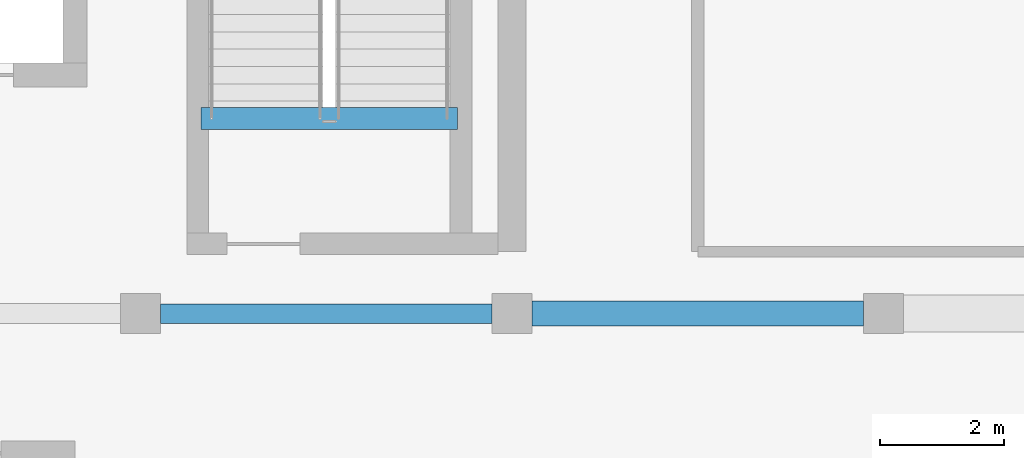
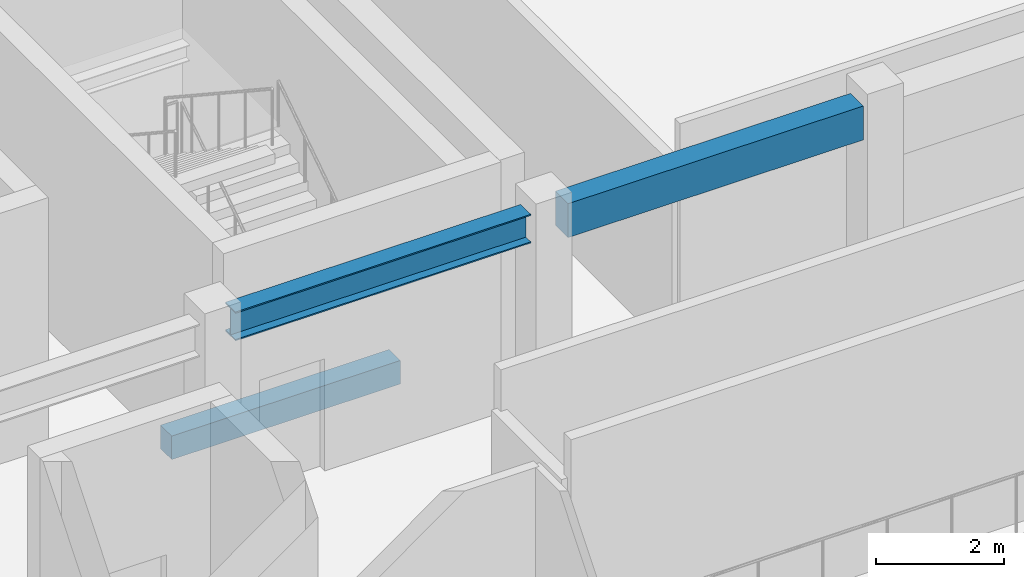
# One storey, part 5 of 62: 3 beams.
"""IFC4 building model written with IfcOpenShell, lengths in metres."""

from ifc_helpers import new_model, si_unit, direction, frame, origin, origin_2d, place, context, subcontext, project, spatial, rectangle, i_section, extrude, material, material_profile, profile_set, type_object, element, save


model = new_model("IFC4")

# Units and contexts
model_context = context("Model", 3, precision=1e-05, world=origin(), true_north=direction((0.0, 1.0)))
body_context = subcontext(model_context, "Body", "Model", "MODEL_VIEW")
ifc_project = project(units=[si_unit("LENGTHUNIT", "METRE"), si_unit("AREAUNIT", "SQUARE_METRE"), si_unit("VOLUMEUNIT", "CUBIC_METRE"), si_unit("PLANEANGLEUNIT", "RADIAN"), si_unit("MASSUNIT", "GRAM", prefix="KILO")], contexts=[model_context])

# Site, building, storey
site_placement = place(None, origin())
site = spatial("IfcSite", under=ifc_project, at=site_placement, CompositionType="ELEMENT")
building_placement = place(site_placement, origin())
building = spatial("IfcBuilding", under=site, at=building_placement, Name="Vaelkrest Opera House", CompositionType="ELEMENT")
storey_placement = place(building_placement, frame((0.0, 0.0, 19.800048828125)))
storey = spatial("IfcBuildingStorey", under=building, at=storey_placement, Name="L04", CompositionType="ELEMENT", Elevation=19.800048828125)

# Beams
ifc_material_1 = material(Name="Concrete C50/60", Category="concrete")
ifc_material_profile_1 = material_profile(ifc_material_1, rectangle(XDim=0.39990234375, YDim=0.64990234375, at=origin_2d()), Name="RCB400X650")
ifc_profile_set_1 = profile_set([ifc_material_profile_1], Name="Concrete C50/60")
beam_type_1 = type_object("IfcBeamType", Name="B01", PredefinedType="BEAM", material=ifc_profile_set_1)
beam_1_placement = place(storey_placement, frame((-17.675048828125, -28.800048828125, 4.179931640625), z_axis=(1.0, 0.0, 0.0), x_axis=(0.0, 1.0, 0.0)))
element("IfcBeam", 1, at=beam_1_placement, inside=storey, type_object=beam_type_1, Name="Beam BM-V1-L04-0541", PredefinedType="BEAM", context=body_context, shape_type="SweptSolid", body=[
    extrude(rectangle(XDim=0.39990234375, YDim=0.64990234375, at=origin_2d()), origin(), (0.0, 0.0, 1.0), 5.35009765625),
])
ifc_material_2 = material(Name="Steel A992 Gr50", Category="steel")
ifc_material_profile_2 = material_profile(ifc_material_2, i_section(OverallWidth=0.31494140625, OverallDepth=0.551025390625, WebThickness=0.01513671875, FlangeThickness=0.0244140625, at=origin_2d()), Name="W21X122")
ifc_profile_set_2 = profile_set([ifc_material_profile_2], Name="Steel A992 Gr50")
beam_type_2 = type_object("IfcBeamType", Name="B20", PredefinedType="BEAM", material=ifc_profile_set_2)
beam_2_placement = place(storey_placement, frame((-23.675048828125, -28.800048828125, 4.2294921875), z_axis=(1.0, 0.0, 0.0), x_axis=(0.0, 1.0, 0.0)))
element("IfcBeam", 2, at=beam_2_placement, inside=storey, type_object=beam_type_2, Name="Beam BM-V1-L04-0540", PredefinedType="BEAM", context=body_context, shape_type="SweptSolid", body=[
    extrude(i_section(OverallWidth=0.31494140625, OverallDepth=0.551025390625, WebThickness=0.01513671875, FlangeThickness=0.0244140625, at=origin_2d()), origin(), (0.0, 0.0, 1.0), 5.35009765625),
])
ifc_material_profile_3 = material_profile(ifc_material_1, rectangle(XDim=0.35009765625, YDim=0.449951171875, at=origin_2d()), Name="RCB350X450")
ifc_profile_set_3 = profile_set([ifc_material_profile_3], Name="Concrete C50/60")
beam_type_3 = type_object("IfcBeamType", Name="LN01", PredefinedType="LINTEL", material=ifc_profile_set_3)
beam_3_placement = place(storey_placement, frame((-23.02001953125, -25.64990234375, -0.22509765625), z_axis=(1.0, 0.0, 0.0), x_axis=(0.0, 1.0, 0.0)))
element("IfcBeam", 3, at=beam_3_placement, inside=storey, type_object=beam_type_3, Name="Stairwell trimmer beam ST01 L04", PredefinedType="LINTEL", context=body_context, shape_type="SweptSolid", body=[
    extrude(rectangle(XDim=0.35009765625, YDim=0.449951171875, at=origin_2d()), origin(), (0.0, 0.0, 1.0), 4.14013671875),
])

save(model, "model.ifc")
